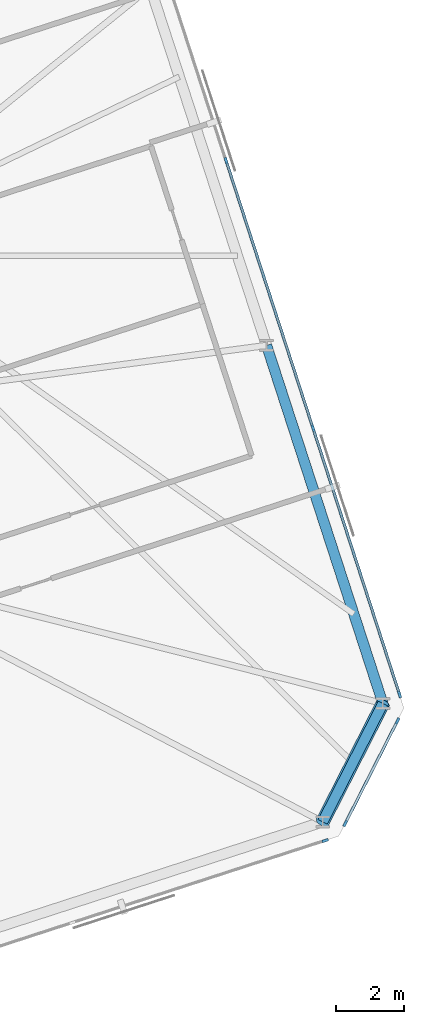
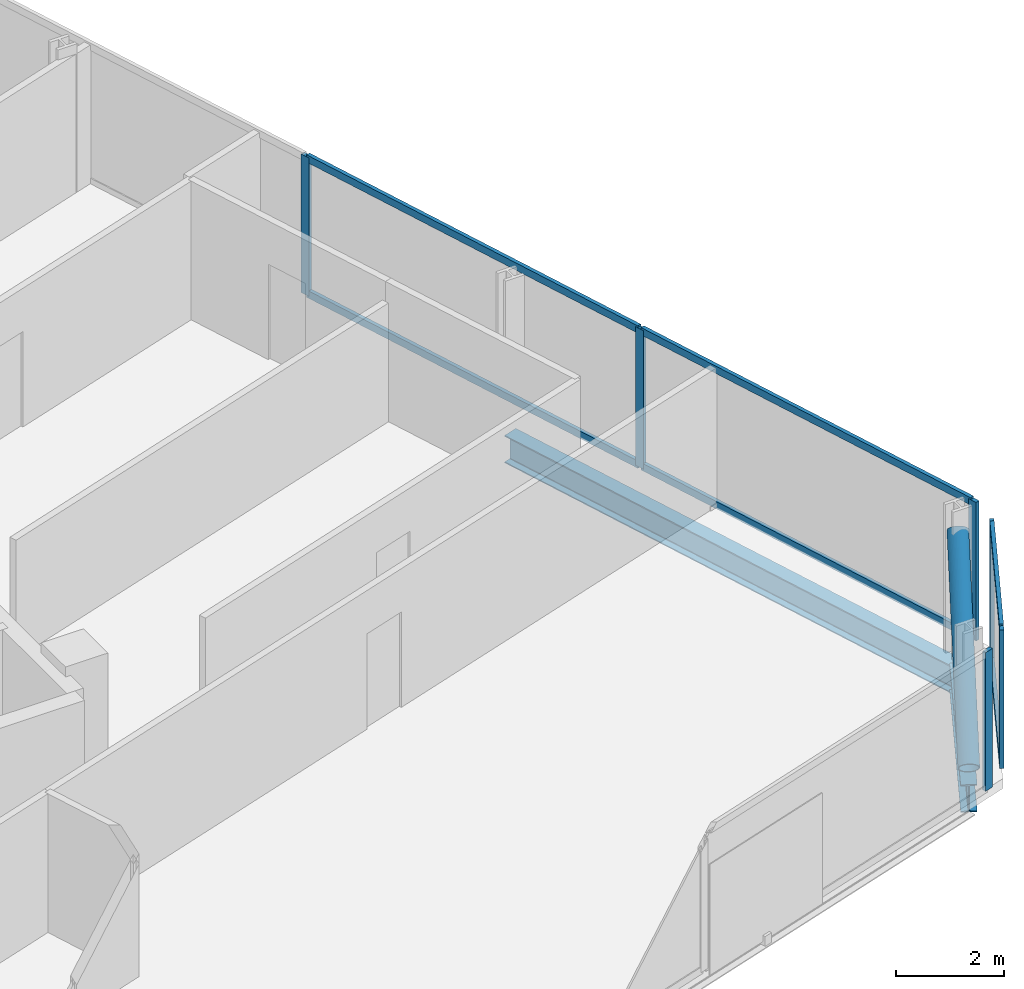
# One storey, part 11 of 20: 13 members, 2 beams, 3 elements without a shape of their own.
"""IFC4 building model written with IfcOpenShell, lengths in metres."""

from ifc_helpers import new_model, si_unit, direction, frame, origin, origin_2d, place, context, subcontext, project, spatial, rectangle, hollow_circle, i_section, extrude, material, material_profile, profile_set, type_object, element, aggregate, save


model = new_model("IFC4")

# Units and contexts
model_context = context("Model", 3, precision=1e-05, world=origin(), true_north=direction((0.0, 1.0)))
body_context = subcontext(model_context, "Body", "Model", "MODEL_VIEW")
ifc_project = project(units=[si_unit("LENGTHUNIT", "METRE"), si_unit("AREAUNIT", "SQUARE_METRE"), si_unit("VOLUMEUNIT", "CUBIC_METRE"), si_unit("PLANEANGLEUNIT", "RADIAN"), si_unit("MASSUNIT", "GRAM", prefix="KILO")], contexts=[model_context])

# Site, building, storey
site_placement = place(None, origin())
site = spatial("IfcSite", under=ifc_project, at=site_placement, CompositionType="ELEMENT")
building_placement = place(site_placement, origin())
building = spatial("IfcBuilding", under=site, at=building_placement, Name="Menara Jurai Vektor", CompositionType="ELEMENT")
storey_placement = place(building_placement, frame((0.0, 0.0, 244.39990234375)))
storey = spatial("IfcBuildingStorey", under=building, at=storey_placement, Name="L65", CompositionType="ELEMENT", Elevation=244.39990234375)

# Curtain wall, member
ifc_material_1 = material(Name="Anodised Pale Aluminium & Low-E Double Glazing", Category="aluminium")
curtain_wall_type = type_object("IfcCurtainWallType", Name="CW-BLK4", PredefinedType="NOTDEFINED", material=ifc_material_1)
curtain_wall_1_placement = place(storey_placement, origin())
curtain_wall_1 = element("IfcCurtainWall", 1, at=curtain_wall_1_placement, inside=storey, type_object=curtain_wall_type, Name="Unitised Curtain Wall L65 F01", PredefinedType="NOTDEFINED")
ifc_material_2 = material(Name="Anodised Pale Aluminium Mullion", Category="aluminium")
ifc_material_profile_1 = material_profile(ifc_material_2, rectangle(XDim=0.080078125, YDim=0.18994140625, at=origin_2d()), Name="ALU MUL 80x190")
ifc_profile_set_1 = profile_set([ifc_material_profile_1], Name="Anodised Pale Aluminium Mullion")
member_type_1 = type_object("IfcMemberType", Name="CW-BLK4-MUL", PredefinedType="MULLION", material=ifc_profile_set_1)
member_1_placement = place(storey_placement, frame((29.810546875, -12.698486328125, 0.0), z_axis=(0.0, 0.0, 1.0), x_axis=(-0.309017344167, 0.951056402641, 0.0)))
member_1 = element("IfcMember", 2, at=member_1_placement, type_object=member_type_1, Name="CW-04 mullion 8", PredefinedType="MULLION", context=body_context, shape_type="SweptSolid", body=[
    extrude(rectangle(XDim=0.080078125, YDim=0.18994140625, at=origin_2d()), origin(), (0.0, 0.0, 1.0), 3.125),
])
aggregate(curtain_wall_1, [member_1])

# Curtain wall, members
curtain_wall_2_placement = place(storey_placement, origin())
curtain_wall_2 = element("IfcCurtainWall", 3, at=curtain_wall_2_placement, inside=storey, type_object=curtain_wall_type, Name="Unitised Curtain Wall L65 F02", PredefinedType="NOTDEFINED")
member_2_placement = place(storey_placement, frame((30.400634765625, -12.194580078125, 0.0), z_axis=(0.0, 0.0, 1.0), x_axis=(-0.89100750243, 0.453988579828, 0.0)))
member_2 = element("IfcMember", 4, at=member_2_placement, type_object=member_type_1, Name="CW-04 mullion 1", PredefinedType="MULLION", context=body_context, shape_type="SweptSolid", body=[
    extrude(rectangle(XDim=0.080078125, YDim=0.18994140625, at=origin_2d()), origin(), (0.0, 0.0, 1.0), 3.125),
])
member_3_placement = place(storey_placement, frame((31.9453125, -9.16259765625, 0.0), z_axis=(0.0, 0.0, 1.0), x_axis=(-0.89100750243, 0.453988579828, 0.0)))
member_3 = element("IfcMember", 5, at=member_3_placement, type_object=member_type_1, Name="CW-04 mullion 2", PredefinedType="MULLION", context=body_context, shape_type="SweptSolid", body=[
    extrude(rectangle(XDim=0.080078125, YDim=0.18994140625, at=origin_2d()), origin(), (0.0, 0.0, 1.0), 3.125),
])

curtain_wall_3_placement = place(storey_placement, origin())
curtain_wall_3 = element("IfcCurtainWall", 6, at=curtain_wall_3_placement, inside=storey, type_object=curtain_wall_type, Name="Unitised Curtain Wall L65 F03", PredefinedType="NOTDEFINED")
member_4_placement = place(storey_placement, frame((32.00634765625, -8.388916015625, 0.0), z_axis=(0.0, 0.0, 1.0), x_axis=(-0.95105668295, -0.309016481464, 0.0)))
member_4 = element("IfcMember", 7, at=member_4_placement, type_object=member_type_1, Name="CW-04 mullion 1", PredefinedType="MULLION", context=body_context, shape_type="SweptSolid", body=[
    extrude(rectangle(XDim=0.080078125, YDim=0.18994140625, at=origin_2d()), origin(), (0.0, 0.0, 1.0), 3.125),
])
member_5_placement = place(storey_placement, frame((29.45068359375, -0.523681640625, 0.0), z_axis=(0.0, 0.0, 1.0), x_axis=(-0.95105668295, -0.309016481464, 0.0)))
member_5 = element("IfcMember", 8, at=member_5_placement, type_object=member_type_1, Name="CW-04 mullion 2", PredefinedType="MULLION", context=body_context, shape_type="SweptSolid", body=[
    extrude(rectangle(XDim=0.080078125, YDim=0.18994140625, at=origin_2d()), origin(), (0.0, 0.0, 1.0), 3.125),
])
member_6_placement = place(storey_placement, frame((26.8828125, 7.379638671875, 0.0), z_axis=(0.0, 0.0, 1.0), x_axis=(-0.95105668295, -0.309016481464, 0.0)))
member_6 = element("IfcMember", 9, at=member_6_placement, type_object=member_type_1, Name="CW-04 mullion 3", PredefinedType="MULLION", context=body_context, shape_type="SweptSolid", body=[
    extrude(rectangle(XDim=0.080078125, YDim=0.18994140625, at=origin_2d()), origin(), (0.0, 0.0, 1.0), 3.125),
])

# Member
ifc_material_3 = material(Name="Anodised Pale Aluminium Transom", Category="aluminium")
ifc_material_profile_2 = material_profile(ifc_material_3, rectangle(XDim=0.080078125, YDim=0.1650390625, at=origin_2d()), Name="ALU TRN 80x165")
ifc_profile_set_2 = profile_set([ifc_material_profile_2], Name="Anodised Pale Aluminium Transom")
member_type_2 = type_object("IfcMemberType", Name="CW-BLK4-TRN", PredefinedType="USERDEFINED", material=ifc_profile_set_2)
member_7_placement = place(storey_placement, frame((30.418701171875, -12.158935546875, 0.0400390625), z_axis=(0.453989617444, 0.89100697374, 0.0), x_axis=(-0.89100697374, 0.453989617444, 0.0)))
member_7 = element("IfcMember", 10, at=member_7_placement, type_object=member_type_2, Name="CW-04 transom 1.1", ObjectType="TRANSOM", PredefinedType="USERDEFINED", context=body_context, shape_type="SweptSolid", body=[
    extrude(rectangle(XDim=0.080078125, YDim=0.1650390625, at=origin_2d()), origin(), (0.0, 0.0, 1.0), 3.32275390625),
])

member_8_placement = place(storey_placement, frame((30.418701171875, -12.158935546875, 3.085205078125), z_axis=(0.453989617444, 0.89100697374, 0.0), x_axis=(-0.89100697374, 0.453989617444, 0.0)))
member_8 = element("IfcMember", 11, at=member_8_placement, type_object=member_type_2, Name="CW-04 transom 1.2", ObjectType="TRANSOM", PredefinedType="USERDEFINED", context=body_context, shape_type="SweptSolid", body=[
    extrude(rectangle(XDim=0.080078125, YDim=0.1650390625, at=origin_2d()), origin(), (0.0, 0.0, 1.0), 3.32275390625),
])

aggregate(curtain_wall_2, [member_2, member_3, member_7, member_8])

member_9_placement = place(storey_placement, frame((31.993896484375, -8.350830078125, 0.0400390625), z_axis=(-0.309010577384, 0.951058601278, 0.0), x_axis=(-0.951058601278, -0.309010577384, 0.0)))
member_9 = element("IfcMember", 12, at=member_9_placement, type_object=member_type_2, Name="CW-04 transom 1.1", ObjectType="TRANSOM", PredefinedType="USERDEFINED", context=body_context, shape_type="SweptSolid", body=[
    extrude(rectangle(XDim=0.080078125, YDim=0.1650390625, at=origin_2d()), origin(), (0.0, 0.0, 1.0), 8.18994140625),
])

member_10_placement = place(storey_placement, frame((31.993896484375, -8.350830078125, 3.085205078125), z_axis=(-0.309010577384, 0.951058601278, 0.0), x_axis=(-0.951058601278, -0.309010577384, 0.0)))
member_10 = element("IfcMember", 13, at=member_10_placement, type_object=member_type_2, Name="CW-04 transom 1.2", ObjectType="TRANSOM", PredefinedType="USERDEFINED", context=body_context, shape_type="SweptSolid", body=[
    extrude(rectangle(XDim=0.080078125, YDim=0.1650390625, at=origin_2d()), origin(), (0.0, 0.0, 1.0), 8.18994140625),
])

member_11_placement = place(storey_placement, frame((29.438232421875, -0.485595703125, 0.0400390625), z_axis=(-0.309018994408, 0.951055866443, 0.0), x_axis=(-0.951055866443, -0.309018994408, 0.0)))
member_11 = element("IfcMember", 14, at=member_11_placement, type_object=member_type_2, Name="CW-04 transom 2.1", ObjectType="TRANSOM", PredefinedType="USERDEFINED", context=body_context, shape_type="SweptSolid", body=[
    extrude(rectangle(XDim=0.080078125, YDim=0.1650390625, at=origin_2d()), origin(), (0.0, 0.0, 1.0), 8.22998046875),
])

member_12_placement = place(storey_placement, frame((29.438232421875, -0.485595703125, 3.085205078125), z_axis=(-0.309018994408, 0.951055866443, 0.0), x_axis=(-0.951055866443, -0.309018994408, 0.0)))
member_12 = element("IfcMember", 15, at=member_12_placement, type_object=member_type_2, Name="CW-04 transom 2.2", ObjectType="TRANSOM", PredefinedType="USERDEFINED", context=body_context, shape_type="SweptSolid", body=[
    extrude(rectangle(XDim=0.080078125, YDim=0.1650390625, at=origin_2d()), origin(), (0.0, 0.0, 1.0), 8.22998046875),
])

aggregate(curtain_wall_3, [member_4, member_5, member_6, member_9, member_10, member_11, member_12])

ifc_material_4 = material(Name="Steel S460", Category="steel")
ifc_material_profile_3 = material_profile(ifc_material_4, hollow_circle(Radius=0.203125, WallThickness=0.01611328125, at=origin_2d()), Name="CHS 406.4x16")
ifc_profile_set_3 = profile_set([ifc_material_profile_3], Name="Steel S460")
member_type_3 = type_object("IfcMemberType", Name="STR-BR-406", PredefinedType="BRACE", material=ifc_profile_set_3)
member_13_placement = place(storey_placement, frame((29.733642578125, -12.14501953125, 0.150146484375), z_axis=(0.377239531316, 0.740351985533, 0.55638949804), x_axis=(-0.891000997215, 0.454001346872, 0.0)))
element("IfcMember", 16, at=member_13_placement, inside=storey, type_object=member_type_3, Name="Exoskeleton Corner Brace L65-1", PredefinedType="BRACE", context=body_context, shape_type="SweptSolid", body=[
    extrude(hollow_circle(Radius=0.203125, WallThickness=0.01611328125, at=origin_2d()), origin(), (0.0, 0.0, 1.0), 4.718017578125),
])

# Beams
ifc_material_5 = material(Name="Steel S355", Category="steel")
ifc_material_profile_4 = material_profile(ifc_material_5, i_section(OverallWidth=0.306884765625, OverallDepth=0.6201171875, WebThickness=0.013916015625, FlangeThickness=0.02392578125, FilletRadius=0.01708984375, at=origin_2d()), Name="UKB 610x305x179")
ifc_profile_set_4 = profile_set([ifc_material_profile_4], Name="Steel S355")
beam_type = type_object("IfcBeamType", Name="STR-SP-610", PredefinedType="SPANDREL", material=ifc_profile_set_4)
beam_1_placement = place(storey_placement, frame((29.7333984375, -12.14501953125, -0.534912109375), z_axis=(0.454050785633, 0.890975804423, 0.0), x_axis=(-0.890975804423, 0.454050785633, 0.0)))
element("IfcBeam", 17, at=beam_1_placement, inside=storey, type_object=beam_type, Name="Exoskeleton Spandrel Beam L65-06", PredefinedType="SPANDREL", context=body_context, shape_type="SweptSolid", body=[
    extrude(i_section(OverallWidth=0.306884765625, OverallDepth=0.6201171875, WebThickness=0.013916015625, FlangeThickness=0.02392578125, FilletRadius=0.01708984375, at=origin_2d()), origin(), (0.0, 0.0, 1.0), 3.92041015625),
])
beam_2_placement = place(storey_placement, frame((31.513427734375, -8.652099609375, -0.534912109375), z_axis=(-0.309012092614, 0.95105810896, 0.0), x_axis=(-0.95105810896, -0.309012092614, 0.0)))
element("IfcBeam", 18, at=beam_2_placement, inside=storey, type_object=beam_type, Name="Exoskeleton Spandrel Beam L65-07", PredefinedType="SPANDREL", context=body_context, shape_type="SweptSolid", body=[
    extrude(i_section(OverallWidth=0.306884765625, OverallDepth=0.6201171875, WebThickness=0.013916015625, FlangeThickness=0.02392578125, FilletRadius=0.01708984375, at=origin_2d()), origin(), (0.0, 0.0, 1.0), 11.11865234375),
])

save(model, "model.ifc")
